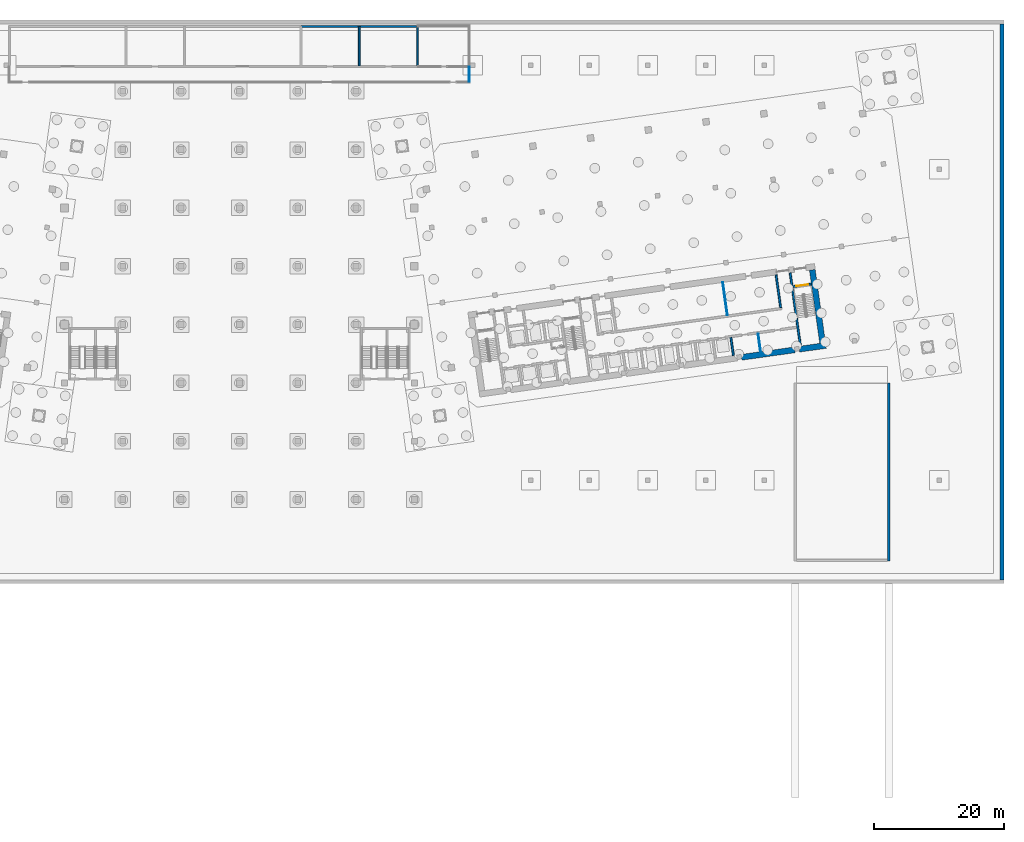
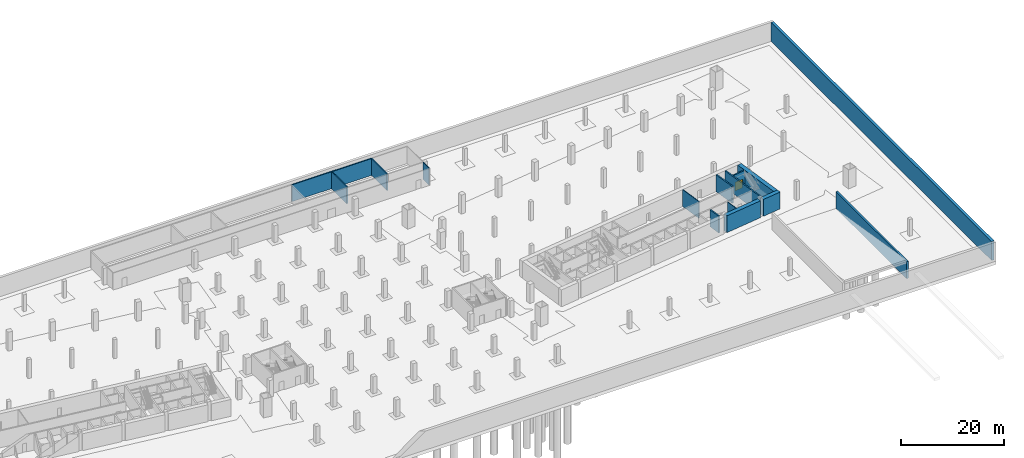
# One storey, part 12 of 19: 16 walls, 1 door, 1 opening.
"""IFC4 building model written with IfcOpenShell, lengths in metres."""

from ifc_helpers import new_model, si_unit, direction, frame, frame_2d, origin, place, context, subcontext, project, spatial, rectangle, extrude, material, layer, layer_set, type_object, element, fill, save


model = new_model("IFC4")

# Units and contexts
model_context = context("Model", 3, precision=1e-05, world=origin(), true_north=direction((0.0, 1.0)))
body_context = subcontext(model_context, "Body", "Model", "MODEL_VIEW")
ifc_project = project(units=[si_unit("LENGTHUNIT", "METRE"), si_unit("AREAUNIT", "SQUARE_METRE"), si_unit("VOLUMEUNIT", "CUBIC_METRE"), si_unit("PLANEANGLEUNIT", "RADIAN"), si_unit("MASSUNIT", "GRAM", prefix="KILO")], contexts=[model_context])

# Site, building, storey
site_placement = place(None, origin())
site = spatial("IfcSite", under=ifc_project, at=site_placement, CompositionType="ELEMENT")
building_placement = place(site_placement, origin())
building = spatial("IfcBuilding", under=site, at=building_placement, Name="Mirante Cascada Hotel Towers", CompositionType="ELEMENT")
storey_placement = place(building_placement, frame((0.0, 0.0, -9.0)))
storey = spatial("IfcBuildingStorey", under=building, at=storey_placement, Name="B2", CompositionType="ELEMENT", Elevation=-9.0)

# Walls
ifc_material_1 = material(Name="Masonry block", Category="masonry")
ifc_layer_1 = layer(ifc_material_1, 0.25)
ifc_layer_set_1 = layer_set([ifc_layer_1], Name="Basement plant room wall 250 block EI 120")
wall_type_1 = type_object("IfcWallType", Name="Basement plant room wall 250 block EI 120", PredefinedType="PARTITIONING", material=ifc_layer_set_1)
for number, where, z_axis, x_axis, name in (
    (1, (9.53, 37.0, 0.0), (0.0, 0.0, 1.0), (1.0, 0.0, 0.0), "Plant room wall B2"),
    (2, (18.53, 37.0, 0.0), (0.0, 0.0, 1.0), (1.0, 0.0, 0.0), "Plant room wall B2"),
):
    element("IfcWall", number, at=place(storey_placement, frame(where, z_axis=z_axis, x_axis=x_axis)), inside=storey, type_object=wall_type_1, Name=name, PredefinedType="PARTITIONING", context=body_context, shape_type="SweptSolid", body=[
        extrude(rectangle(XDim=8.94, YDim=0.25, at=frame_2d((4.47, 0.0))), origin(), (0.0, 0.0, 1.0), 4.0),
    ])
for number, where, z_axis, x_axis, name in (
    (3, (27.5, 30.925, 0.0), (0.0, 0.0, 1.0), (0.0, 1.0, 0.0), "Plant room wall B2"),
    (4, (18.5, 30.925, 0.0), (0.0, 0.0, 1.0), (0.0, 1.0, 0.0), "Plant room wall B2"),
):
    element("IfcWall", number, at=place(storey_placement, frame(where, z_axis=z_axis, x_axis=x_axis)), inside=storey, type_object=wall_type_1, Name=name, PredefinedType="PARTITIONING", context=body_context, shape_type="SweptSolid", body=[
        extrude(rectangle(XDim=6.075, YDim=0.25, at=frame_2d((3.0375, 0.0))), origin(), (0.0, 0.0, 1.0), 4.0),
    ])
ifc_material_2 = material(Name="Masonry block", Category="masonry")
ifc_layer_2 = layer(ifc_material_2, 0.15)
ifc_layer_set_2 = layer_set([ifc_layer_2], Name="Basement service corridor wall 150 block EI 60")
wall_type_2 = type_object("IfcWallType", Name="Basement service corridor wall 150 block EI 60", PredefinedType="PARTITIONING", material=ifc_layer_set_2)
wall_1_placement = place(storey_placement, frame((35.5, 28.475, 0.0), z_axis=(0.0, 0.0, 1.0), x_axis=(0.0, 1.0, 0.0)))
element("IfcWall", 5, at=wall_1_placement, inside=storey, type_object=wall_type_2, Name="Service corridor wall B2", PredefinedType="PARTITIONING", context=body_context, shape_type="SweptSolid", body=[
    extrude(rectangle(XDim=2.295, YDim=0.15, at=frame_2d((1.1475, 0.0))), origin(), (0.0, 0.0, 1.0), 4.0),
])
ifc_material_3 = material(Name="Masonry block", Category="masonry")
ifc_layer_3 = layer(ifc_material_3, 0.15)
ifc_layer_set_3 = layer_set([ifc_layer_3], Name="Core room partition 150 block EI 30")
wall_type_3 = type_object("IfcWallType", Name="Core room partition 150 block EI 30", PredefinedType="PARTITIONING", material=ifc_layer_set_3)
wall_2_placement = place(storey_placement, frame((80.448, -13.1879, 0.0), z_axis=(0.0, 0.0, 1.0), x_axis=(-0.139176, 0.9902677, 0.0)))
element("IfcWall", 6, at=wall_2_placement, inside=storey, type_object=wall_type_3, Name="Core wall partition T2 B2 4", PredefinedType="PARTITIONING", context=body_context, shape_type="SweptSolid", body=[
    extrude(rectangle(XDim=2.8001, YDim=0.15, at=frame_2d((1.4, 0.0))), origin(), (0.0, 0.0, 1.0), 4.0),
])
wall_3_placement = place(storey_placement, frame((75.3131, -7.5476, 0.0), z_axis=(0.0, 0.0, 1.0), x_axis=(-0.1391782, 0.9902673, 0.0)))
element("IfcWall", 7, at=wall_3_placement, inside=storey, type_object=wall_type_3, Name="Core wall partition T2 B2 5", PredefinedType="PARTITIONING", context=body_context, shape_type="SweptSolid", body=[
    extrude(rectangle(XDim=5.0999, YDim=0.15, at=frame_2d((2.55, 0.0))), origin(), (0.0, 0.0, 1.0), 4.0),
])
ifc_material_4 = material(Name="Concrete C50/60", Category="concrete")
ifc_layer_4 = layer(ifc_material_4, 0.3)
ifc_layer_set_4 = layer_set([ifc_layer_4], Name="RC core wall 300 C50/60")
wall_type_4 = type_object("IfcWallType", Name="RC core wall 300 C50/60", PredefinedType="SHEAR", material=ifc_layer_set_4)
wall_4_placement = place(storey_placement, frame((86.5877, -12.325, 0.0), z_axis=(0.0, 0.0, 1.0), x_axis=(-0.1391749, 0.9902678, 0.0)))
element("IfcWall", 8, at=wall_4_placement, inside=storey, type_object=wall_type_4, Name="Core wall T2:B2:8", PredefinedType="SHEAR", context=body_context, shape_type="SweptSolid", body=[
    extrude(rectangle(XDim=11.4, YDim=0.3, at=frame_2d((5.7, 0.0))), origin(), (0.0, 0.0, 1.0), 4.0),
])

# Wall, opening, door
wall_5_placement = place(storey_placement, frame((85.4489, -3.1441, 0.0), z_axis=(0.0, 0.0, 1.0), x_axis=(0.9902697, 0.1391613, 0.0)))
wall_5 = element("IfcWall", 9, at=wall_5_placement, inside=storey, type_object=wall_type_4, Name="Core wall T2:B2:11", PredefinedType="SHEAR", context=body_context, shape_type="SweptSolid", body=[
    extrude(rectangle(XDim=2.8499, YDim=0.3, at=frame_2d((1.425, 0.0))), origin(), (0.0, 0.0, 1.0), 4.0),
])
opening_placement = place(wall_5_placement, frame((0.525, 0.0, 0.0)))
opening = element("IfcOpeningElement", 10, at=opening_placement, cuts=wall_5, Name="Opening D2-B2-C20", PredefinedType="OPENING", context=body_context, shape_type="SweptSolid", body=[
    extrude(rectangle(XDim=1.8, YDim=2.1, at=frame_2d((0.9, 1.05))), frame((0.0, 0.15, 0.0), z_axis=(0.0, -1.0, 0.0), x_axis=(1.0, 0.0, 0.0)), (0.0, 0.0, 1.0), 0.3),
])
ifc_material_5 = material(Name="Hollow metal fire door leaf")
door_type = type_object("IfcDoorType", Name="Double fire door 1800x2100 FD60", OperationType="DOUBLE_DOOR_SINGLE_SWING", PredefinedType="DOOR", material=ifc_material_5)
door_placement = place(opening_placement, frame((1.8, 0.0, 0.0), z_axis=(0.0, 0.0, 1.0), x_axis=(-1.0, 0.0, 0.0)))
door = element("IfcDoor", 11, at=door_placement, inside=storey, type_object=door_type, Name="Stair door T2 B2 20", OperationType="DOUBLE_DOOR_SINGLE_SWING", OverallHeight=2.1, OverallWidth=1.8, PredefinedType="DOOR", context=body_context, shape_type="SweptSolid", body=[
    extrude(rectangle(XDim=0.895, YDim=2.1, at=frame_2d((0.4475, 1.05))), frame((0.0, 0.025, 0.0), z_axis=(0.0, -1.0, 0.0), x_axis=(1.0, 0.0, 0.0)), (0.0, 0.0, 1.0), 0.05),
    extrude(rectangle(XDim=0.895, YDim=2.1, at=frame_2d((1.3525, 1.05))), frame((0.0, 0.025, 0.0), z_axis=(0.0, -1.0, 0.0), x_axis=(1.0, 0.0, 0.0)), (0.0, 0.0, 1.0), 0.05),
])
fill(opening, door)

# Walls
wall_6_placement = place(storey_placement, frame((76.2394, -13.7794, 0.0), z_axis=(0.0, 0.0, 1.0), x_axis=(-0.139176, 0.9902677, 0.0)))
element("IfcWall", 12, at=wall_6_placement, inside=storey, type_object=wall_type_4, Name="Core wall T2:B2:32", PredefinedType="SHEAR", context=body_context, shape_type="SweptSolid", body=[
    extrude(rectangle(XDim=2.8001, YDim=0.3, at=frame_2d((1.4, 0.0))), origin(), (0.0, 0.0, 1.0), 4.0),
])
wall_7_placement = place(storey_placement, frame((83.5323, -6.3925, 0.0), z_axis=(0.0, 0.0, 1.0), x_axis=(-0.1391755, 0.9902677, 0.0)))
element("IfcWall", 13, at=wall_7_placement, inside=storey, type_object=wall_type_4, Name="Core wall T2:B2:36", PredefinedType="SHEAR", context=body_context, shape_type="SweptSolid", body=[
    extrude(rectangle(XDim=5.1, YDim=0.3, at=frame_2d((2.55, 0.0))), origin(), (0.0, 0.0, 1.0), 4.0),
])
ifc_material_6 = material(Name="Concrete C50/60", Category="concrete")
ifc_layer_5 = layer(ifc_material_6, 0.9)
ifc_layer_set_5 = layer_set([ifc_layer_5], Name="RC core wall 900 C50/60")
wall_type_5 = type_object("IfcWallType", Name="RC core wall 900 C50/60", PredefinedType="SHEAR", material=ifc_layer_set_5)
wall_8_placement = place(storey_placement, frame((77.4903, -14.058, 0.0), z_axis=(0.0, 0.0, 1.0), x_axis=(0.990267, 0.139181, 0.0)))
element("IfcWall", 14, at=wall_8_placement, inside=storey, type_object=wall_type_5, Name="Core wall T2:B2:1.6", PredefinedType="SHEAR", context=body_context, shape_type="SweptSolid", body=[
    extrude(rectangle(XDim=8.3, YDim=0.9, at=frame_2d((4.15, 0.0))), origin(), (0.0, 0.0, 1.0), 4.0),
])
wall_9_placement = place(storey_placement, frame((86.4027, -12.8054, 0.0), z_axis=(0.0, 0.0, 1.0), x_axis=(0.990267, 0.139181, 0.0)))
element("IfcWall", 15, at=wall_9_placement, inside=storey, type_object=wall_type_5, Name="Core wall T2:B2:1.7", PredefinedType="SHEAR", context=body_context, shape_type="SweptSolid", body=[
    extrude(rectangle(XDim=4.15, YDim=0.9, at=frame_2d((2.075, 0.0))), origin(), (0.0, 0.0, 1.0), 4.0),
])
wall_10_placement = place(storey_placement, frame((90.0041, -11.8449, 0.0), z_axis=(0.0, 0.0, 1.0), x_axis=(-0.1391749, 0.9902678, 0.0)))
element("IfcWall", 16, at=wall_10_placement, inside=storey, type_object=wall_type_5, Name="Core wall T2:B2:4", PredefinedType="SHEAR", context=body_context, shape_type="SweptSolid", body=[
    extrude(rectangle(XDim=11.4, YDim=0.9, at=frame_2d((5.7, 0.0))), origin(), (0.0, 0.0, 1.0), 4.0),
])
ifc_material_7 = material(Name="Concrete C35/45", Category="concrete")
ifc_layer_6 = layer(ifc_material_7, 0.4)
ifc_layer_set_6 = layer_set([ifc_layer_6], Name="Ramp wall 400 C35/45")
wall_type_6 = type_object("IfcWallType", Name="Ramp wall 400 C35/45", PredefinedType="SOLIDWALL", material=ifc_layer_set_6)
wall_11_placement = place(storey_placement, frame((100.2, -18.0, 0.0), z_axis=(0.0, 0.0, 1.0), x_axis=(0.0, -1.0, 0.0)))
element("IfcWall", 17, at=wall_11_placement, inside=storey, type_object=wall_type_6, Name="wall:B:B2:22", PredefinedType="SOLIDWALL", context=body_context, shape_type="SweptSolid", body=[
    extrude(rectangle(XDim=27.5, YDim=0.4, at=frame_2d((13.75, 0.0))), origin(), (0.0, 0.0, 1.0), 4.0),
])
ifc_material_8 = material(Name="Concrete C35/45", Category="concrete")
ifc_layer_7 = layer(ifc_material_8, 0.6)
ifc_layer_set_7 = layer_set([ifc_layer_7], Name="Retaining wall 600 C35/45")
wall_type_7 = type_object("IfcWallType", Name="Retaining wall 600 C35/45", PredefinedType="SOLIDWALL", material=ifc_layer_set_7)
wall_12_placement = place(storey_placement, frame((117.7, -48.4, 0.0), z_axis=(0.0, 0.0, 1.0), x_axis=(0.0, 1.0, 0.0)))
element("IfcWall", 18, at=wall_12_placement, inside=storey, type_object=wall_type_7, Name="wall:B:B2:2", PredefinedType="SOLIDWALL", context=body_context, shape_type="SweptSolid", body=[
    extrude(rectangle(XDim=85.8, YDim=0.6, at=frame_2d((42.9, 0.0))), origin(), (0.0, 0.0, 1.0), 4.5),
])

save(model, "model.ifc")
